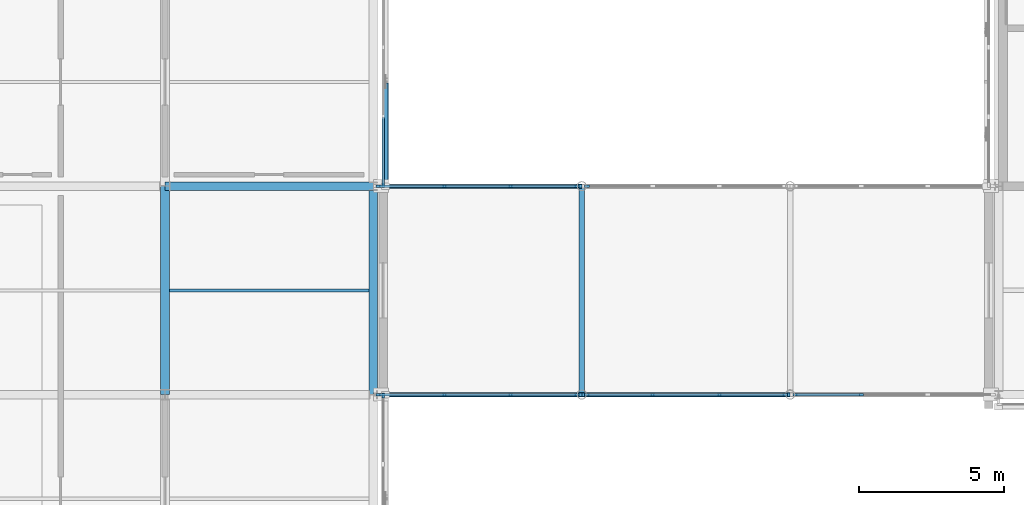
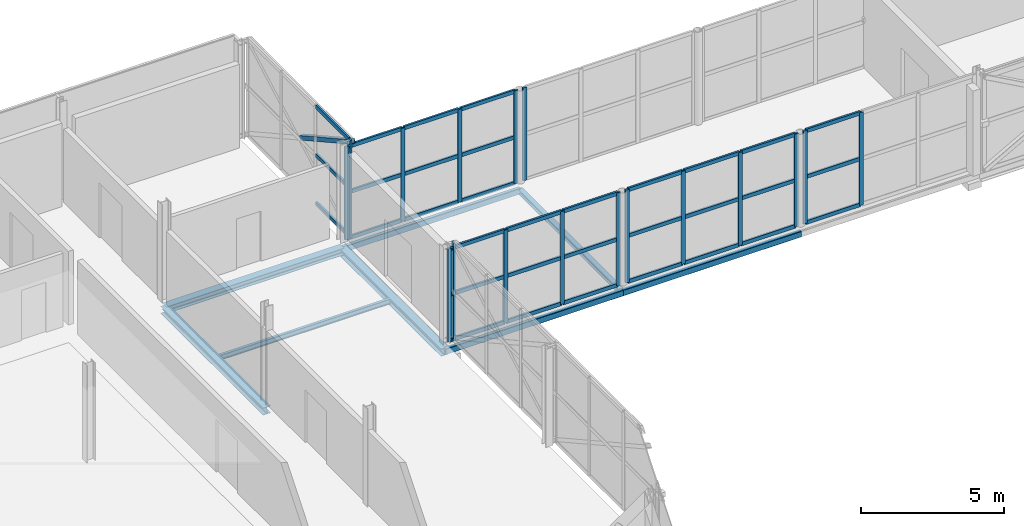
# One storey, part 48 of 103: 51 members, 8 beams, 7 elements without a shape of their own.
"""IFC4 building model written with IfcOpenShell, lengths in metres."""

from ifc_helpers import new_model, si_unit, direction, frame, origin, origin_2d, place, context, subcontext, project, spatial, rectangle, hollow_rectangle, i_section, extrude, material, material_profile, profile_set, type_object, element, aggregate, save


model = new_model("IFC4")

# Units and contexts
model_context = context("Model", 3, precision=1e-05, world=origin(), true_north=direction((0.0, 1.0)))
body_context = subcontext(model_context, "Body", "Model", "MODEL_VIEW")
ifc_project = project(units=[si_unit("LENGTHUNIT", "METRE"), si_unit("AREAUNIT", "SQUARE_METRE"), si_unit("VOLUMEUNIT", "CUBIC_METRE"), si_unit("PLANEANGLEUNIT", "RADIAN"), si_unit("MASSUNIT", "GRAM", prefix="KILO")], contexts=[model_context])

# Site, building, storey
site_placement = place(None, origin())
site = spatial("IfcSite", under=ifc_project, at=site_placement, CompositionType="ELEMENT")
building_placement = place(site_placement, origin())
building = spatial("IfcBuilding", under=site, at=building_placement, Name="Zlatovets Crest Museum", CompositionType="ELEMENT")
storey_placement = place(building_placement, frame((0.0, 0.0, 12.89990234375)))
storey = spatial("IfcBuildingStorey", under=building, at=storey_placement, Name="L03", CompositionType="ELEMENT", Elevation=12.89990234375)

# Beams
ifc_material_1 = material(Name="Structural steel S355J2", Category="steel")
ifc_material_profile_1 = material_profile(ifc_material_1, i_section(OverallWidth=0.300048828125, OverallDepth=0.31005859375, WebThickness=0.009033203125, FlangeThickness=0.015380859375, FilletRadius=0.027099609375, at=origin_2d()), Name="HEA 320")
ifc_profile_set_1 = profile_set([ifc_material_profile_1], Name="Structural steel S355J2")
beam_type_1 = type_object("IfcBeamType", Name="Beam_B-04", PredefinedType="BEAM", material=ifc_profile_set_1)
for number, where, z_axis, x_axis, name in (
    (1, (28.800048828125, 86.39990234375, -0.39501953125), (0.0, 1.0, 0.0), (-1.0, 0.0, 0.0), "V4 L03 Grid Beam B-04"),
    (2, (36.0, 86.39990234375, -0.39501953125), (0.0, 1.0, 0.0), (-1.0, 0.0, 0.0), "V4 L03 Grid Beam B-04"),
):
    element("IfcBeam", number, at=place(storey_placement, frame(where, z_axis=z_axis, x_axis=x_axis)), inside=storey, type_object=beam_type_1, Name=name, PredefinedType="BEAM", context=body_context, shape_type="SweptSolid", body=[
        extrude(i_section(OverallWidth=0.300048828125, OverallDepth=0.31005859375, WebThickness=0.009033203125, FlangeThickness=0.015380859375, FilletRadius=0.027099609375, at=origin_2d()), origin(), (0.0, 0.0, 1.0), 7.2001953125),
    ])
ifc_material_profile_2 = material_profile(ifc_material_1, i_section(OverallWidth=0.300048828125, OverallDepth=0.2900390625, WebThickness=0.008544921875, FlangeThickness=0.013916015625, FilletRadius=0.027099609375, at=origin_2d()), Name="HEA 300")
ifc_profile_set_2 = profile_set([ifc_material_profile_2], Name="Structural steel S355J2")
beam_type_2 = type_object("IfcBeamType", Name="Beam_B-12", PredefinedType="BEAM", material=ifc_profile_set_2)
beam_1_placement = place(storey_placement, frame((28.800048828125, 93.60009765625, -0.385009765625), z_axis=(1.0, 0.0, 0.0), x_axis=(0.0, 1.0, 0.0)))
element("IfcBeam", 3, at=beam_1_placement, inside=storey, type_object=beam_type_2, Name="V4 L03 Primary Girder B-12", PredefinedType="BEAM", context=body_context, shape_type="SweptSolid", body=[
    extrude(i_section(OverallWidth=0.300048828125, OverallDepth=0.2900390625, WebThickness=0.008544921875, FlangeThickness=0.013916015625, FilletRadius=0.027099609375, at=origin_2d()), origin(), (0.0, 0.0, 1.0), 7.199951171875),
])
ifc_material_profile_3 = material_profile(ifc_material_1, i_section(OverallWidth=0.199951171875, OverallDepth=0.18994140625, WebThickness=0.006591796875, FlangeThickness=0.010009765625, FilletRadius=0.01806640625, at=origin_2d()), Name="HEA 200")
ifc_profile_set_3 = profile_set([ifc_material_profile_3], Name="Structural steel S355J2")
beam_type_3 = type_object("IfcBeamType", Name="Beam_B-15", PredefinedType="BEAM", material=ifc_profile_set_3)
beam_2_placement = place(storey_placement, frame((43.199951171875, 86.39990234375, -0.364990234375), z_axis=(0.0, 1.0, 0.0), x_axis=(-1.0, 0.0, 0.0)))
element("IfcBeam", 4, at=beam_2_placement, inside=storey, type_object=beam_type_3, Name="Northwest Crest Glazed Link Bridge L03 Cross Beam", PredefinedType="BEAM", context=body_context, shape_type="SweptSolid", body=[
    extrude(i_section(OverallWidth=0.199951171875, OverallDepth=0.18994140625, WebThickness=0.006591796875, FlangeThickness=0.010009765625, FilletRadius=0.01806640625, at=origin_2d()), origin(), (0.0, 0.0, 1.0), 7.2001953125),
])
ifc_material_profile_4 = material_profile(ifc_material_1, hollow_rectangle(XDim=0.14990234375, YDim=0.25, WallThickness=0.010009765625, InnerFilletRadius=0.010009765625, OuterFilletRadius=0.02001953125, at=origin_2d()), Name="RHS 150x250x10.0")
ifc_profile_set_4 = profile_set([ifc_material_profile_4], Name="Structural steel S355J2")
beam_type_4 = type_object("IfcBeamType", Name="Beam_BRG-03", PredefinedType="BEAM", material=ifc_profile_set_4)
for number, where, z_axis, x_axis, name in (
    (5, (36.0, 86.39990234375, -0.364990234375), (1.0, 0.0, 0.0), (0.0, 1.0, 0.0), "Northwest Crest Glazed Link Bridge L03 Stringer Beam"),
    (6, (43.199951171875, 86.39990234375, -0.364990234375), (1.0, 0.0, 0.0), (0.0, 1.0, 0.0), "Northwest Crest Glazed Link Bridge L03 Stringer Beam"),
    (7, (36.0, 93.60009765625, -0.364990234375), (1.0, 0.0, 0.0), (0.0, 1.0, 0.0), "Northwest Crest Glazed Link Bridge L03 Stringer Beam"),
):
    element("IfcBeam", number, at=place(storey_placement, frame(where, z_axis=z_axis, x_axis=x_axis)), inside=storey, type_object=beam_type_4, Name=name, PredefinedType="BEAM", context=body_context, shape_type="SweptSolid", body=[
        extrude(hollow_rectangle(XDim=0.14990234375, YDim=0.25, WallThickness=0.010009765625, InnerFilletRadius=0.010009765625, OuterFilletRadius=0.02001953125, at=origin_2d()), origin(), (0.0, 0.0, 1.0), 7.199951171875),
    ])
ifc_material_profile_5 = material_profile(ifc_material_1, i_section(OverallWidth=0.110107421875, OverallDepth=0.219970703125, WebThickness=0.005859375, FlangeThickness=0.00927734375, FilletRadius=0.011962890625, at=origin_2d()), Name="IPE 220")
ifc_profile_set_5 = profile_set([ifc_material_profile_5], Name="Structural steel S355J2")
beam_type_5 = type_object("IfcBeamType", Name="Beam_J-10", PredefinedType="JOIST", material=ifc_profile_set_5)
beam_3_placement = place(storey_placement, frame((28.949951171875, 90.0, -0.349853515625), z_axis=(1.0, 0.0, 0.0), x_axis=(0.0, 1.0, 0.0)))
element("IfcBeam", 8, at=beam_3_placement, inside=storey, type_object=beam_type_5, Name="V4 L03 Composite Joist J-10", PredefinedType="JOIST", context=body_context, shape_type="SweptSolid", body=[
    extrude(i_section(OverallWidth=0.110107421875, OverallDepth=0.219970703125, WebThickness=0.005859375, FlangeThickness=0.00927734375, FilletRadius=0.011962890625, at=origin_2d()), origin(), (0.0, 0.0, 1.0), 6.900146484375),
])

# Curtain wall, member
ifc_material_2 = material(Name="Bronze-anodised aluminium and low-E triple glass", Category="aluminium")
curtain_wall_type_1 = type_object("IfcCurtainWallType", Name="CW_CW-V4-L03-M0", PredefinedType="NOTDEFINED", material=ifc_material_2)
curtain_wall_1_placement = place(storey_placement, origin())
curtain_wall_1 = element("IfcCurtainWall", 9, at=curtain_wall_1_placement, inside=storey, type_object=curtain_wall_type_1, Name="V4 L03 Secession Foyer Clear Curtain Wall", PredefinedType="NOTDEFINED")
ifc_material_3 = material(Name="Bronze-anodised aluminium EN AW-6060", Category="aluminium")
ifc_material_profile_6 = material_profile(ifc_material_3, rectangle(XDim=0.080078125, YDim=0.159912109375, at=origin_2d()), Name="ALU 80x160")
ifc_profile_set_6 = profile_set([ifc_material_profile_6], Name="Bronze-anodised aluminium EN AW-6060")
member_type_1 = type_object("IfcMemberType", Name="CWMull_M1", PredefinedType="MULLION", material=ifc_profile_set_6)
member_1_placement = place(storey_placement, frame((36.340087890625, 86.3701171875, 0.0), z_axis=(0.0, 0.0, 1.0), x_axis=(-1.0, 0.0, 0.0)))
member_1 = element("IfcMember", 10, at=member_1_placement, type_object=member_type_1, Name="CW-V4-L03-M0 mullion 4", PredefinedType="MULLION", context=body_context, shape_type="SweptSolid", body=[
    extrude(rectangle(XDim=0.080078125, YDim=0.159912109375, at=origin_2d()), origin(), (0.0, 0.0, 1.0), 4.2001953125),
])
aggregate(curtain_wall_1, [member_1])

curtain_wall_type_2 = type_object("IfcCurtainWallType", Name="CW_CW-V4-L03-M2", PredefinedType="NOTDEFINED", material=ifc_material_2)
curtain_wall_2_placement = place(storey_placement, origin())
curtain_wall_2 = element("IfcCurtainWall", 11, at=curtain_wall_2_placement, inside=storey, type_object=curtain_wall_type_2, Name="V4 L03 Secession Foyer Clear Curtain Wall", PredefinedType="NOTDEFINED")
member_2_placement = place(storey_placement, frame((36.340087890625, 93.6298828125, 0.0), z_axis=(0.0, 0.0, 1.0), x_axis=(-1.0, 0.0, 0.0)))
member_2 = element("IfcMember", 12, at=member_2_placement, type_object=member_type_1, Name="CW-V4-L03-M2 mullion 1", PredefinedType="MULLION", context=body_context, shape_type="SweptSolid", body=[
    extrude(rectangle(XDim=0.080078125, YDim=0.159912109375, at=origin_2d()), origin(), (0.0, 0.0, 1.0), 4.2001953125),
])

# Curtain wall, members
curtain_wall_type_3 = type_object("IfcCurtainWallType", Name="CW_CW-BR3-L03-S69", PredefinedType="NOTDEFINED", material=ifc_material_2)
curtain_wall_3_placement = place(storey_placement, origin())
curtain_wall_3 = element("IfcCurtainWall", 13, at=curtain_wall_3_placement, inside=storey, type_object=curtain_wall_type_3, Name="Northwest Crest Glazed Link Bridge L03 Glazed Bridge Curtain Wall", PredefinedType="NOTDEFINED")
member_3_placement = place(storey_placement, frame((36.179931640625, 86.39990234375, 0.0), z_axis=(0.0, 0.0, 1.0), x_axis=(0.0, 1.0, 0.0)))
member_3 = element("IfcMember", 14, at=member_3_placement, type_object=member_type_1, Name="CW-BR3-L03-S69 mullion 1", PredefinedType="MULLION", context=body_context, shape_type="SweptSolid", body=[
    extrude(rectangle(XDim=0.080078125, YDim=0.159912109375, at=origin_2d()), origin(), (0.0, 0.0, 1.0), 3.97998046875),
])
member_4_placement = place(storey_placement, frame((38.449951171875, 86.39990234375, 0.0), z_axis=(0.0, 0.0, 1.0), x_axis=(0.0, 1.0, 0.0)))
member_4 = element("IfcMember", 15, at=member_4_placement, type_object=member_type_1, Name="CW-BR3-L03-S69 mullion 2", PredefinedType="MULLION", context=body_context, shape_type="SweptSolid", body=[
    extrude(rectangle(XDim=0.080078125, YDim=0.159912109375, at=origin_2d()), origin(), (0.0, 0.0, 1.0), 3.97998046875),
])
member_5_placement = place(storey_placement, frame((40.75, 86.39990234375, 0.0), z_axis=(0.0, 0.0, 1.0), x_axis=(0.0, 1.0, 0.0)))
member_5 = element("IfcMember", 16, at=member_5_placement, type_object=member_type_1, Name="CW-BR3-L03-S69 mullion 3", PredefinedType="MULLION", context=body_context, shape_type="SweptSolid", body=[
    extrude(rectangle(XDim=0.080078125, YDim=0.159912109375, at=origin_2d()), origin(), (0.0, 0.0, 1.0), 3.97998046875),
])
member_6_placement = place(storey_placement, frame((43.02001953125, 86.39990234375, 0.0), z_axis=(0.0, 0.0, 1.0), x_axis=(0.0, 1.0, 0.0)))
member_6 = element("IfcMember", 17, at=member_6_placement, type_object=member_type_1, Name="CW-BR3-L03-S69 mullion 4", PredefinedType="MULLION", context=body_context, shape_type="SweptSolid", body=[
    extrude(rectangle(XDim=0.080078125, YDim=0.159912109375, at=origin_2d()), origin(), (0.0, 0.0, 1.0), 3.97998046875),
])

curtain_wall_4_placement = place(storey_placement, origin())
curtain_wall_4 = element("IfcCurtainWall", 18, at=curtain_wall_4_placement, inside=storey, type_object=curtain_wall_type_3, Name="Northwest Crest Glazed Link Bridge L03 Glazed Bridge Curtain Wall", PredefinedType="NOTDEFINED")
member_7_placement = place(storey_placement, frame((43.3798828125, 86.39990234375, 0.0), z_axis=(0.0, 0.0, 1.0), x_axis=(0.0, 1.0, 0.0)))
member_7 = element("IfcMember", 19, at=member_7_placement, type_object=member_type_1, Name="CW-BR3-L03-S69 mullion 1", PredefinedType="MULLION", context=body_context, shape_type="SweptSolid", body=[
    extrude(rectangle(XDim=0.080078125, YDim=0.159912109375, at=origin_2d()), origin(), (0.0, 0.0, 1.0), 3.97998046875),
])
member_8_placement = place(storey_placement, frame((45.64990234375, 86.39990234375, 0.0), z_axis=(0.0, 0.0, 1.0), x_axis=(0.0, 1.0, 0.0)))
member_8 = element("IfcMember", 20, at=member_8_placement, type_object=member_type_1, Name="CW-BR3-L03-S69 mullion 2", PredefinedType="MULLION", context=body_context, shape_type="SweptSolid", body=[
    extrude(rectangle(XDim=0.080078125, YDim=0.159912109375, at=origin_2d()), origin(), (0.0, 0.0, 1.0), 3.97998046875),
])
member_9_placement = place(storey_placement, frame((47.949951171875, 86.39990234375, 0.0), z_axis=(0.0, 0.0, 1.0), x_axis=(0.0, 1.0, 0.0)))
member_9 = element("IfcMember", 21, at=member_9_placement, type_object=member_type_1, Name="CW-BR3-L03-S69 mullion 3", PredefinedType="MULLION", context=body_context, shape_type="SweptSolid", body=[
    extrude(rectangle(XDim=0.080078125, YDim=0.159912109375, at=origin_2d()), origin(), (0.0, 0.0, 1.0), 3.97998046875),
])
member_10_placement = place(storey_placement, frame((50.219970703125, 86.39990234375, 0.0), z_axis=(0.0, 0.0, 1.0), x_axis=(0.0, 1.0, 0.0)))
member_10 = element("IfcMember", 22, at=member_10_placement, type_object=member_type_1, Name="CW-BR3-L03-S69 mullion 4", PredefinedType="MULLION", context=body_context, shape_type="SweptSolid", body=[
    extrude(rectangle(XDim=0.080078125, YDim=0.159912109375, at=origin_2d()), origin(), (0.0, 0.0, 1.0), 3.97998046875),
])

curtain_wall_5_placement = place(storey_placement, origin())
curtain_wall_5 = element("IfcCurtainWall", 23, at=curtain_wall_5_placement, inside=storey, type_object=curtain_wall_type_3, Name="Northwest Crest Glazed Link Bridge L03 Glazed Bridge Curtain Wall", PredefinedType="NOTDEFINED")
member_11_placement = place(storey_placement, frame((50.580078125, 86.39990234375, 0.0), z_axis=(0.0, 0.0, 1.0), x_axis=(0.0, 1.0, 0.0)))
member_11 = element("IfcMember", 24, at=member_11_placement, type_object=member_type_1, Name="CW-BR3-L03-S69 mullion 1", PredefinedType="MULLION", context=body_context, shape_type="SweptSolid", body=[
    extrude(rectangle(XDim=0.080078125, YDim=0.159912109375, at=origin_2d()), origin(), (0.0, 0.0, 1.0), 3.97998046875),
])
member_12_placement = place(storey_placement, frame((52.85009765625, 86.39990234375, 0.0), z_axis=(0.0, 0.0, 1.0), x_axis=(0.0, 1.0, 0.0)))
member_12 = element("IfcMember", 25, at=member_12_placement, type_object=member_type_1, Name="CW-BR3-L03-S69 mullion 2", PredefinedType="MULLION", context=body_context, shape_type="SweptSolid", body=[
    extrude(rectangle(XDim=0.080078125, YDim=0.159912109375, at=origin_2d()), origin(), (0.0, 0.0, 1.0), 3.97998046875),
])

curtain_wall_6_placement = place(storey_placement, origin())
curtain_wall_6 = element("IfcCurtainWall", 26, at=curtain_wall_6_placement, inside=storey, type_object=curtain_wall_type_3, Name="Northwest Crest Glazed Link Bridge L03 Glazed Bridge Curtain Wall", PredefinedType="NOTDEFINED")
member_13_placement = place(storey_placement, frame((36.179931640625, 93.60009765625, 0.0), z_axis=(0.0, 0.0, 1.0), x_axis=(0.0, 1.0, 0.0)))
member_13 = element("IfcMember", 27, at=member_13_placement, type_object=member_type_1, Name="CW-BR3-L03-S69 mullion 1", PredefinedType="MULLION", context=body_context, shape_type="SweptSolid", body=[
    extrude(rectangle(XDim=0.080078125, YDim=0.159912109375, at=origin_2d()), origin(), (0.0, 0.0, 1.0), 3.97998046875),
])
member_14_placement = place(storey_placement, frame((38.449951171875, 93.60009765625, 0.0), z_axis=(0.0, 0.0, 1.0), x_axis=(0.0, 1.0, 0.0)))
member_14 = element("IfcMember", 28, at=member_14_placement, type_object=member_type_1, Name="CW-BR3-L03-S69 mullion 2", PredefinedType="MULLION", context=body_context, shape_type="SweptSolid", body=[
    extrude(rectangle(XDim=0.080078125, YDim=0.159912109375, at=origin_2d()), origin(), (0.0, 0.0, 1.0), 3.97998046875),
])
member_15_placement = place(storey_placement, frame((40.75, 93.60009765625, 0.0), z_axis=(0.0, 0.0, 1.0), x_axis=(0.0, 1.0, 0.0)))
member_15 = element("IfcMember", 29, at=member_15_placement, type_object=member_type_1, Name="CW-BR3-L03-S69 mullion 3", PredefinedType="MULLION", context=body_context, shape_type="SweptSolid", body=[
    extrude(rectangle(XDim=0.080078125, YDim=0.159912109375, at=origin_2d()), origin(), (0.0, 0.0, 1.0), 3.97998046875),
])
member_16_placement = place(storey_placement, frame((43.02001953125, 93.60009765625, 0.0), z_axis=(0.0, 0.0, 1.0), x_axis=(0.0, 1.0, 0.0)))
member_16 = element("IfcMember", 30, at=member_16_placement, type_object=member_type_1, Name="CW-BR3-L03-S69 mullion 4", PredefinedType="MULLION", context=body_context, shape_type="SweptSolid", body=[
    extrude(rectangle(XDim=0.080078125, YDim=0.159912109375, at=origin_2d()), origin(), (0.0, 0.0, 1.0), 3.97998046875),
])

# Curtain wall, member
curtain_wall_7_placement = place(storey_placement, origin())
curtain_wall_7 = element("IfcCurtainWall", 31, at=curtain_wall_7_placement, inside=storey, type_object=curtain_wall_type_3, Name="Northwest Crest Glazed Link Bridge L03 Glazed Bridge Curtain Wall", PredefinedType="NOTDEFINED")
member_17_placement = place(storey_placement, frame((43.3798828125, 93.60009765625, 0.0), z_axis=(0.0, 0.0, 1.0), x_axis=(0.0, 1.0, 0.0)))
member_17 = element("IfcMember", 32, at=member_17_placement, type_object=member_type_1, Name="CW-BR3-L03-S69 mullion 1", PredefinedType="MULLION", context=body_context, shape_type="SweptSolid", body=[
    extrude(rectangle(XDim=0.080078125, YDim=0.159912109375, at=origin_2d()), origin(), (0.0, 0.0, 1.0), 3.97998046875),
])
aggregate(curtain_wall_7, [member_17])

# Member
ifc_material_profile_7 = material_profile(ifc_material_3, rectangle(XDim=0.080078125, YDim=0.159912109375, at=origin_2d()), Name="ALU 80x160")
ifc_profile_set_7 = profile_set([ifc_material_profile_7], Name="Bronze-anodised aluminium EN AW-6060")
member_type_2 = type_object("IfcMemberType", Name="CWTrans_T1", PredefinedType="USERDEFINED", material=ifc_profile_set_7)
member_18_placement = place(storey_placement, frame((36.340087890625, 93.659912109375, 0.030029296875), z_axis=(0.0, 1.0, 0.0), x_axis=(-1.0, 0.0, 0.0)))
member_18 = element("IfcMember", 33, at=member_18_placement, type_object=member_type_2, Name="CW-V4-L03-M2 transom 1.1", ObjectType="TRANSOM", PredefinedType="USERDEFINED", context=body_context, shape_type="SweptSolid", body=[
    extrude(rectangle(XDim=0.080078125, YDim=0.159912109375, at=origin_2d()), origin(), (0.0, 0.0, 1.0), 2.31005859375),
])

member_19_placement = place(storey_placement, frame((36.340087890625, 93.659912109375, 2.10009765625), z_axis=(0.0, 1.0, 0.0), x_axis=(-1.0, 0.0, 0.0)))
member_19 = element("IfcMember", 34, at=member_19_placement, type_object=member_type_2, Name="CW-V4-L03-M2 transom 1.2", ObjectType="TRANSOM", PredefinedType="USERDEFINED", context=body_context, shape_type="SweptSolid", body=[
    extrude(rectangle(XDim=0.080078125, YDim=0.159912109375, at=origin_2d()), origin(), (0.0, 0.0, 1.0), 2.31005859375),
])

member_20_placement = place(storey_placement, frame((36.340087890625, 93.659912109375, 4.170166015625), z_axis=(0.0, 1.0, 0.0), x_axis=(-1.0, 0.0, 0.0)))
member_20 = element("IfcMember", 35, at=member_20_placement, type_object=member_type_2, Name="CW-V4-L03-M2 transom 1.3", ObjectType="TRANSOM", PredefinedType="USERDEFINED", context=body_context, shape_type="SweptSolid", body=[
    extrude(rectangle(XDim=0.080078125, YDim=0.159912109375, at=origin_2d()), origin(), (0.0, 0.0, 1.0), 2.31005859375),
])

aggregate(curtain_wall_2, [member_2, member_18, member_19, member_20])

member_21_placement = place(storey_placement, frame((36.2099609375, 86.39990234375, 0.030029296875), z_axis=(1.0, 0.0, 0.0), x_axis=(0.0, 1.0, 0.0)))
member_21 = element("IfcMember", 36, at=member_21_placement, type_object=member_type_2, Name="CW-BR3-L03-S69 transom 1.1", ObjectType="TRANSOM", PredefinedType="USERDEFINED", context=body_context, shape_type="SweptSolid", body=[
    extrude(rectangle(XDim=0.080078125, YDim=0.159912109375, at=origin_2d()), origin(), (0.0, 0.0, 1.0), 2.2099609375),
])

member_22_placement = place(storey_placement, frame((36.2099609375, 86.39990234375, 1.989990234375), z_axis=(1.0, 0.0, 0.0), x_axis=(0.0, 1.0, 0.0)))
member_22 = element("IfcMember", 37, at=member_22_placement, type_object=member_type_2, Name="CW-BR3-L03-S69 transom 1.2", ObjectType="TRANSOM", PredefinedType="USERDEFINED", context=body_context, shape_type="SweptSolid", body=[
    extrude(rectangle(XDim=0.080078125, YDim=0.159912109375, at=origin_2d()), origin(), (0.0, 0.0, 1.0), 2.2099609375),
])

member_23_placement = place(storey_placement, frame((36.2099609375, 86.39990234375, 3.9501953125), z_axis=(1.0, 0.0, 0.0), x_axis=(0.0, 1.0, 0.0)))
member_23 = element("IfcMember", 38, at=member_23_placement, type_object=member_type_2, Name="CW-BR3-L03-S69 transom 1.3", ObjectType="TRANSOM", PredefinedType="USERDEFINED", context=body_context, shape_type="SweptSolid", body=[
    extrude(rectangle(XDim=0.080078125, YDim=0.159912109375, at=origin_2d()), origin(), (0.0, 0.0, 1.0), 2.2099609375),
])

member_24_placement = place(storey_placement, frame((38.47998046875, 86.39990234375, 0.030029296875), z_axis=(1.0, 0.0, 0.0), x_axis=(0.0, 1.0, 0.0)))
member_24 = element("IfcMember", 39, at=member_24_placement, type_object=member_type_2, Name="CW-BR3-L03-S69 transom 2.1", ObjectType="TRANSOM", PredefinedType="USERDEFINED", context=body_context, shape_type="SweptSolid", body=[
    extrude(rectangle(XDim=0.080078125, YDim=0.159912109375, at=origin_2d()), origin(), (0.0, 0.0, 1.0), 2.239990234375),
])

member_25_placement = place(storey_placement, frame((38.47998046875, 86.39990234375, 1.989990234375), z_axis=(1.0, 0.0, 0.0), x_axis=(0.0, 1.0, 0.0)))
member_25 = element("IfcMember", 40, at=member_25_placement, type_object=member_type_2, Name="CW-BR3-L03-S69 transom 2.2", ObjectType="TRANSOM", PredefinedType="USERDEFINED", context=body_context, shape_type="SweptSolid", body=[
    extrude(rectangle(XDim=0.080078125, YDim=0.159912109375, at=origin_2d()), origin(), (0.0, 0.0, 1.0), 2.239990234375),
])

member_26_placement = place(storey_placement, frame((38.47998046875, 86.39990234375, 3.9501953125), z_axis=(1.0, 0.0, 0.0), x_axis=(0.0, 1.0, 0.0)))
member_26 = element("IfcMember", 41, at=member_26_placement, type_object=member_type_2, Name="CW-BR3-L03-S69 transom 2.3", ObjectType="TRANSOM", PredefinedType="USERDEFINED", context=body_context, shape_type="SweptSolid", body=[
    extrude(rectangle(XDim=0.080078125, YDim=0.159912109375, at=origin_2d()), origin(), (0.0, 0.0, 1.0), 2.239990234375),
])

member_27_placement = place(storey_placement, frame((40.780029296875, 86.39990234375, 0.030029296875), z_axis=(1.0, 0.0, 0.0), x_axis=(0.0, 1.0, 0.0)))
member_27 = element("IfcMember", 42, at=member_27_placement, type_object=member_type_2, Name="CW-BR3-L03-S69 transom 3.1", ObjectType="TRANSOM", PredefinedType="USERDEFINED", context=body_context, shape_type="SweptSolid", body=[
    extrude(rectangle(XDim=0.080078125, YDim=0.159912109375, at=origin_2d()), origin(), (0.0, 0.0, 1.0), 2.2099609375),
])

member_28_placement = place(storey_placement, frame((40.780029296875, 86.39990234375, 1.989990234375), z_axis=(1.0, 0.0, 0.0), x_axis=(0.0, 1.0, 0.0)))
member_28 = element("IfcMember", 43, at=member_28_placement, type_object=member_type_2, Name="CW-BR3-L03-S69 transom 3.2", ObjectType="TRANSOM", PredefinedType="USERDEFINED", context=body_context, shape_type="SweptSolid", body=[
    extrude(rectangle(XDim=0.080078125, YDim=0.159912109375, at=origin_2d()), origin(), (0.0, 0.0, 1.0), 2.2099609375),
])

member_29_placement = place(storey_placement, frame((40.780029296875, 86.39990234375, 3.9501953125), z_axis=(1.0, 0.0, 0.0), x_axis=(0.0, 1.0, 0.0)))
member_29 = element("IfcMember", 44, at=member_29_placement, type_object=member_type_2, Name="CW-BR3-L03-S69 transom 3.3", ObjectType="TRANSOM", PredefinedType="USERDEFINED", context=body_context, shape_type="SweptSolid", body=[
    extrude(rectangle(XDim=0.080078125, YDim=0.159912109375, at=origin_2d()), origin(), (0.0, 0.0, 1.0), 2.2099609375),
])

aggregate(curtain_wall_3, [member_3, member_4, member_5, member_6, member_21, member_22, member_23, member_24, member_25, member_26, member_27, member_28, member_29])

member_30_placement = place(storey_placement, frame((43.409912109375, 86.39990234375, 0.030029296875), z_axis=(1.0, 0.0, 0.0), x_axis=(0.0, 1.0, 0.0)))
member_30 = element("IfcMember", 45, at=member_30_placement, type_object=member_type_2, Name="CW-BR3-L03-S69 transom 1.1", ObjectType="TRANSOM", PredefinedType="USERDEFINED", context=body_context, shape_type="SweptSolid", body=[
    extrude(rectangle(XDim=0.080078125, YDim=0.159912109375, at=origin_2d()), origin(), (0.0, 0.0, 1.0), 2.210205078125),
])

member_31_placement = place(storey_placement, frame((43.409912109375, 86.39990234375, 1.989990234375), z_axis=(1.0, 0.0, 0.0), x_axis=(0.0, 1.0, 0.0)))
member_31 = element("IfcMember", 46, at=member_31_placement, type_object=member_type_2, Name="CW-BR3-L03-S69 transom 1.2", ObjectType="TRANSOM", PredefinedType="USERDEFINED", context=body_context, shape_type="SweptSolid", body=[
    extrude(rectangle(XDim=0.080078125, YDim=0.159912109375, at=origin_2d()), origin(), (0.0, 0.0, 1.0), 2.210205078125),
])

member_32_placement = place(storey_placement, frame((43.409912109375, 86.39990234375, 3.9501953125), z_axis=(1.0, 0.0, 0.0), x_axis=(0.0, 1.0, 0.0)))
member_32 = element("IfcMember", 47, at=member_32_placement, type_object=member_type_2, Name="CW-BR3-L03-S69 transom 1.3", ObjectType="TRANSOM", PredefinedType="USERDEFINED", context=body_context, shape_type="SweptSolid", body=[
    extrude(rectangle(XDim=0.080078125, YDim=0.159912109375, at=origin_2d()), origin(), (0.0, 0.0, 1.0), 2.210205078125),
])

member_33_placement = place(storey_placement, frame((45.679931640625, 86.39990234375, 0.030029296875), z_axis=(1.0, 0.0, 0.0), x_axis=(0.0, 1.0, 0.0)))
member_33 = element("IfcMember", 48, at=member_33_placement, type_object=member_type_2, Name="CW-BR3-L03-S69 transom 2.1", ObjectType="TRANSOM", PredefinedType="USERDEFINED", context=body_context, shape_type="SweptSolid", body=[
    extrude(rectangle(XDim=0.080078125, YDim=0.159912109375, at=origin_2d()), origin(), (0.0, 0.0, 1.0), 2.239990234375),
])

member_34_placement = place(storey_placement, frame((45.679931640625, 86.39990234375, 1.989990234375), z_axis=(1.0, 0.0, 0.0), x_axis=(0.0, 1.0, 0.0)))
member_34 = element("IfcMember", 49, at=member_34_placement, type_object=member_type_2, Name="CW-BR3-L03-S69 transom 2.2", ObjectType="TRANSOM", PredefinedType="USERDEFINED", context=body_context, shape_type="SweptSolid", body=[
    extrude(rectangle(XDim=0.080078125, YDim=0.159912109375, at=origin_2d()), origin(), (0.0, 0.0, 1.0), 2.239990234375),
])

member_35_placement = place(storey_placement, frame((45.679931640625, 86.39990234375, 3.9501953125), z_axis=(1.0, 0.0, 0.0), x_axis=(0.0, 1.0, 0.0)))
member_35 = element("IfcMember", 50, at=member_35_placement, type_object=member_type_2, Name="CW-BR3-L03-S69 transom 2.3", ObjectType="TRANSOM", PredefinedType="USERDEFINED", context=body_context, shape_type="SweptSolid", body=[
    extrude(rectangle(XDim=0.080078125, YDim=0.159912109375, at=origin_2d()), origin(), (0.0, 0.0, 1.0), 2.239990234375),
])

member_36_placement = place(storey_placement, frame((47.97998046875, 86.39990234375, 0.030029296875), z_axis=(1.0, 0.0, 0.0), x_axis=(0.0, 1.0, 0.0)))
member_36 = element("IfcMember", 51, at=member_36_placement, type_object=member_type_2, Name="CW-BR3-L03-S69 transom 3.1", ObjectType="TRANSOM", PredefinedType="USERDEFINED", context=body_context, shape_type="SweptSolid", body=[
    extrude(rectangle(XDim=0.080078125, YDim=0.159912109375, at=origin_2d()), origin(), (0.0, 0.0, 1.0), 2.2099609375),
])

member_37_placement = place(storey_placement, frame((47.97998046875, 86.39990234375, 1.989990234375), z_axis=(1.0, 0.0, 0.0), x_axis=(0.0, 1.0, 0.0)))
member_37 = element("IfcMember", 52, at=member_37_placement, type_object=member_type_2, Name="CW-BR3-L03-S69 transom 3.2", ObjectType="TRANSOM", PredefinedType="USERDEFINED", context=body_context, shape_type="SweptSolid", body=[
    extrude(rectangle(XDim=0.080078125, YDim=0.159912109375, at=origin_2d()), origin(), (0.0, 0.0, 1.0), 2.2099609375),
])

member_38_placement = place(storey_placement, frame((47.97998046875, 86.39990234375, 3.9501953125), z_axis=(1.0, 0.0, 0.0), x_axis=(0.0, 1.0, 0.0)))
member_38 = element("IfcMember", 53, at=member_38_placement, type_object=member_type_2, Name="CW-BR3-L03-S69 transom 3.3", ObjectType="TRANSOM", PredefinedType="USERDEFINED", context=body_context, shape_type="SweptSolid", body=[
    extrude(rectangle(XDim=0.080078125, YDim=0.159912109375, at=origin_2d()), origin(), (0.0, 0.0, 1.0), 2.2099609375),
])

aggregate(curtain_wall_4, [member_7, member_8, member_9, member_10, member_30, member_31, member_32, member_33, member_34, member_35, member_36, member_37, member_38])

member_39_placement = place(storey_placement, frame((50.610107421875, 86.39990234375, 0.030029296875), z_axis=(1.0, 0.0, 0.0), x_axis=(0.0, 1.0, 0.0)))
member_39 = element("IfcMember", 54, at=member_39_placement, type_object=member_type_2, Name="CW-BR3-L03-S69 transom 1.1", ObjectType="TRANSOM", PredefinedType="USERDEFINED", context=body_context, shape_type="SweptSolid", body=[
    extrude(rectangle(XDim=0.080078125, YDim=0.159912109375, at=origin_2d()), origin(), (0.0, 0.0, 1.0), 2.2099609375),
])

member_40_placement = place(storey_placement, frame((50.610107421875, 86.39990234375, 1.989990234375), z_axis=(1.0, 0.0, 0.0), x_axis=(0.0, 1.0, 0.0)))
member_40 = element("IfcMember", 55, at=member_40_placement, type_object=member_type_2, Name="CW-BR3-L03-S69 transom 1.2", ObjectType="TRANSOM", PredefinedType="USERDEFINED", context=body_context, shape_type="SweptSolid", body=[
    extrude(rectangle(XDim=0.080078125, YDim=0.159912109375, at=origin_2d()), origin(), (0.0, 0.0, 1.0), 2.2099609375),
])

member_41_placement = place(storey_placement, frame((50.610107421875, 86.39990234375, 3.9501953125), z_axis=(1.0, 0.0, 0.0), x_axis=(0.0, 1.0, 0.0)))
member_41 = element("IfcMember", 56, at=member_41_placement, type_object=member_type_2, Name="CW-BR3-L03-S69 transom 1.3", ObjectType="TRANSOM", PredefinedType="USERDEFINED", context=body_context, shape_type="SweptSolid", body=[
    extrude(rectangle(XDim=0.080078125, YDim=0.159912109375, at=origin_2d()), origin(), (0.0, 0.0, 1.0), 2.2099609375),
])

aggregate(curtain_wall_5, [member_11, member_12, member_39, member_40, member_41])

member_42_placement = place(storey_placement, frame((36.2099609375, 93.60009765625, 0.030029296875), z_axis=(1.0, 0.0, 0.0), x_axis=(0.0, 1.0, 0.0)))
member_42 = element("IfcMember", 57, at=member_42_placement, type_object=member_type_2, Name="CW-BR3-L03-S69 transom 1.1", ObjectType="TRANSOM", PredefinedType="USERDEFINED", context=body_context, shape_type="SweptSolid", body=[
    extrude(rectangle(XDim=0.080078125, YDim=0.159912109375, at=origin_2d()), origin(), (0.0, 0.0, 1.0), 2.2099609375),
])

member_43_placement = place(storey_placement, frame((36.2099609375, 93.60009765625, 1.989990234375), z_axis=(1.0, 0.0, 0.0), x_axis=(0.0, 1.0, 0.0)))
member_43 = element("IfcMember", 58, at=member_43_placement, type_object=member_type_2, Name="CW-BR3-L03-S69 transom 1.2", ObjectType="TRANSOM", PredefinedType="USERDEFINED", context=body_context, shape_type="SweptSolid", body=[
    extrude(rectangle(XDim=0.080078125, YDim=0.159912109375, at=origin_2d()), origin(), (0.0, 0.0, 1.0), 2.2099609375),
])

member_44_placement = place(storey_placement, frame((36.2099609375, 93.60009765625, 3.9501953125), z_axis=(1.0, 0.0, 0.0), x_axis=(0.0, 1.0, 0.0)))
member_44 = element("IfcMember", 59, at=member_44_placement, type_object=member_type_2, Name="CW-BR3-L03-S69 transom 1.3", ObjectType="TRANSOM", PredefinedType="USERDEFINED", context=body_context, shape_type="SweptSolid", body=[
    extrude(rectangle(XDim=0.080078125, YDim=0.159912109375, at=origin_2d()), origin(), (0.0, 0.0, 1.0), 2.2099609375),
])

member_45_placement = place(storey_placement, frame((38.47998046875, 93.60009765625, 0.030029296875), z_axis=(1.0, 0.0, 0.0), x_axis=(0.0, 1.0, 0.0)))
member_45 = element("IfcMember", 60, at=member_45_placement, type_object=member_type_2, Name="CW-BR3-L03-S69 transom 2.1", ObjectType="TRANSOM", PredefinedType="USERDEFINED", context=body_context, shape_type="SweptSolid", body=[
    extrude(rectangle(XDim=0.080078125, YDim=0.159912109375, at=origin_2d()), origin(), (0.0, 0.0, 1.0), 2.239990234375),
])

member_46_placement = place(storey_placement, frame((38.47998046875, 93.60009765625, 1.989990234375), z_axis=(1.0, 0.0, 0.0), x_axis=(0.0, 1.0, 0.0)))
member_46 = element("IfcMember", 61, at=member_46_placement, type_object=member_type_2, Name="CW-BR3-L03-S69 transom 2.2", ObjectType="TRANSOM", PredefinedType="USERDEFINED", context=body_context, shape_type="SweptSolid", body=[
    extrude(rectangle(XDim=0.080078125, YDim=0.159912109375, at=origin_2d()), origin(), (0.0, 0.0, 1.0), 2.239990234375),
])

member_47_placement = place(storey_placement, frame((38.47998046875, 93.60009765625, 3.9501953125), z_axis=(1.0, 0.0, 0.0), x_axis=(0.0, 1.0, 0.0)))
member_47 = element("IfcMember", 62, at=member_47_placement, type_object=member_type_2, Name="CW-BR3-L03-S69 transom 2.3", ObjectType="TRANSOM", PredefinedType="USERDEFINED", context=body_context, shape_type="SweptSolid", body=[
    extrude(rectangle(XDim=0.080078125, YDim=0.159912109375, at=origin_2d()), origin(), (0.0, 0.0, 1.0), 2.239990234375),
])

member_48_placement = place(storey_placement, frame((40.780029296875, 93.60009765625, 0.030029296875), z_axis=(1.0, 0.0, 0.0), x_axis=(0.0, 1.0, 0.0)))
member_48 = element("IfcMember", 63, at=member_48_placement, type_object=member_type_2, Name="CW-BR3-L03-S69 transom 3.1", ObjectType="TRANSOM", PredefinedType="USERDEFINED", context=body_context, shape_type="SweptSolid", body=[
    extrude(rectangle(XDim=0.080078125, YDim=0.159912109375, at=origin_2d()), origin(), (0.0, 0.0, 1.0), 2.2099609375),
])

member_49_placement = place(storey_placement, frame((40.780029296875, 93.60009765625, 1.989990234375), z_axis=(1.0, 0.0, 0.0), x_axis=(0.0, 1.0, 0.0)))
member_49 = element("IfcMember", 64, at=member_49_placement, type_object=member_type_2, Name="CW-BR3-L03-S69 transom 3.2", ObjectType="TRANSOM", PredefinedType="USERDEFINED", context=body_context, shape_type="SweptSolid", body=[
    extrude(rectangle(XDim=0.080078125, YDim=0.159912109375, at=origin_2d()), origin(), (0.0, 0.0, 1.0), 2.2099609375),
])

member_50_placement = place(storey_placement, frame((40.780029296875, 93.60009765625, 3.9501953125), z_axis=(1.0, 0.0, 0.0), x_axis=(0.0, 1.0, 0.0)))
member_50 = element("IfcMember", 65, at=member_50_placement, type_object=member_type_2, Name="CW-BR3-L03-S69 transom 3.3", ObjectType="TRANSOM", PredefinedType="USERDEFINED", context=body_context, shape_type="SweptSolid", body=[
    extrude(rectangle(XDim=0.080078125, YDim=0.159912109375, at=origin_2d()), origin(), (0.0, 0.0, 1.0), 2.2099609375),
])

aggregate(curtain_wall_6, [member_13, member_14, member_15, member_16, member_42, member_43, member_44, member_45, member_46, member_47, member_48, member_49, member_50])

ifc_material_4 = material(Name="Weathering bronze-steel S355J2W", Category="steel")
ifc_material_profile_8 = material_profile(ifc_material_4, hollow_rectangle(XDim=0.199951171875, YDim=0.199951171875, WallThickness=0.012451171875, InnerFilletRadius=0.012451171875, OuterFilletRadius=0.02490234375, at=origin_2d()), Name="SHS 200x200x12.5")
ifc_profile_set_8 = profile_set([ifc_material_profile_8], Name="Weathering bronze-steel S355J2W")
member_type_3 = type_object("IfcMemberType", Name="Lattice_XL-02", PredefinedType="BRACE", material=ifc_profile_set_8)
member_51_placement = place(storey_placement, frame((36.419921875, 93.60009765625, 4.10009765625), z_axis=(0.0, 0.874151551165, -0.485653235958), x_axis=(-1.0, 0.0, 0.0)))
element("IfcMember", 66, at=member_51_placement, inside=storey, type_object=member_type_3, Name="Split Crossing Bronze Lattice Diagonal Upper", PredefinedType="BRACE", context=body_context, shape_type="SweptSolid", body=[
    extrude(hollow_rectangle(XDim=0.199951171875, YDim=0.199951171875, WallThickness=0.012451171875, InnerFilletRadius=0.012451171875, OuterFilletRadius=0.02490234375, at=origin_2d()), origin(), (0.0, 0.0, 1.0), 4.023193359375),
])

save(model, "model.ifc")
